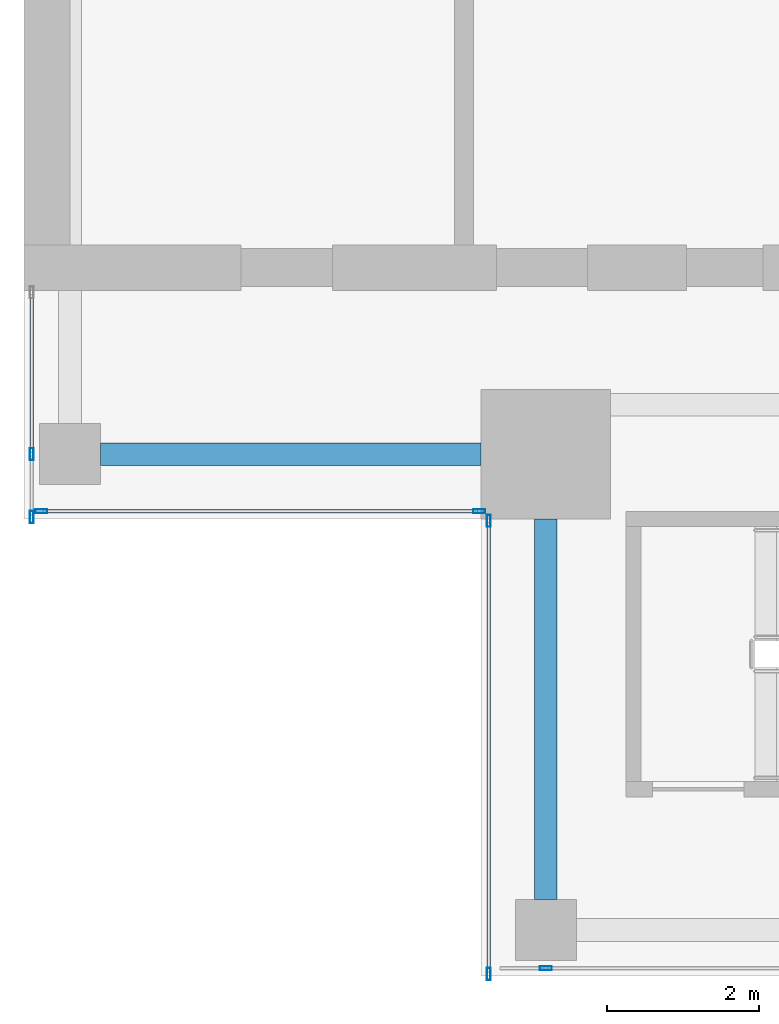
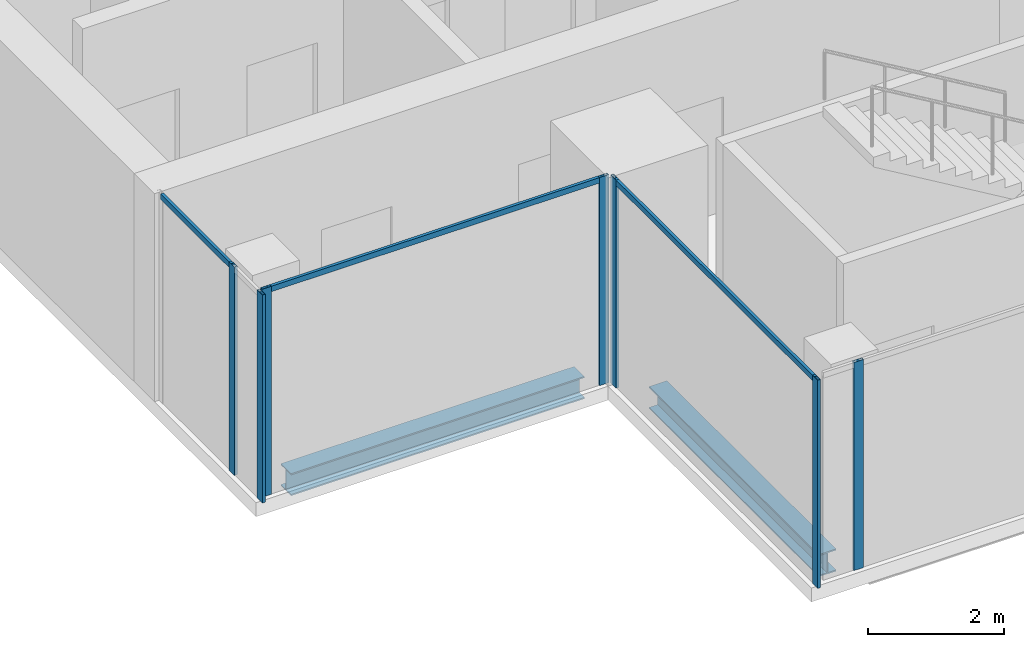
# One storey, part 2 of 29: 10 members, 2 beams, 4 elements without a shape of their own.
"""IFC4 building model written with IfcOpenShell, lengths in metres."""

from ifc_helpers import new_model, si_unit, direction, frame, origin, origin_2d, place, context, subcontext, project, spatial, hollow_rectangle, i_section, extrude, source, transform, mapped, material, material_profile, profile_set, type_object, element, aggregate, save


model = new_model("IFC4")

# Units and contexts
model_context = context("Model", 3, precision=1e-05, world=origin(), true_north=direction((0.0, 1.0)))
body_context = subcontext(model_context, "Body", "Model", "MODEL_VIEW")
ifc_project = project(units=[si_unit("LENGTHUNIT", "METRE"), si_unit("AREAUNIT", "SQUARE_METRE"), si_unit("VOLUMEUNIT", "CUBIC_METRE"), si_unit("PLANEANGLEUNIT", "RADIAN"), si_unit("MASSUNIT", "GRAM", prefix="KILO")], contexts=[model_context])

# Site, building, storey
site_placement = place(None, origin())
site = spatial("IfcSite", under=ifc_project, at=site_placement, CompositionType="ELEMENT")
building_placement = place(site_placement, origin())
building = spatial("IfcBuilding", under=site, at=building_placement, Name="Khomas Fold Tower", CompositionType="ELEMENT")
storey_placement = place(building_placement, frame((0.0, 0.0, 314.199951171875)))
storey = spatial("IfcBuildingStorey", under=building, at=storey_placement, Name="L71", CompositionType="ELEMENT", Elevation=314.199951171875)

# Beams
ifc_material_1 = material(Name="Steel S355", Category="steel")
ifc_material_profile_1 = material_profile(ifc_material_1, i_section(OverallWidth=0.300048828125, OverallDepth=0.39990234375, WebThickness=0.013427734375, FlangeThickness=0.02392578125, at=origin_2d()), Name="HE 400 B")
ifc_profile_set_1 = profile_set([ifc_material_profile_1], Name="Steel S355")
beam_type = type_object("IfcBeamType", Name="HE 400 B spandrel SB5", PredefinedType="SPANDREL", material=ifc_profile_set_1)
shared_shape_1 = source(origin(), body_context, "Body", "SweptSolid", [
    extrude(i_section(OverallWidth=0.300048828125, OverallDepth=0.39990234375, WebThickness=0.013427734375, FlangeThickness=0.02392578125, at=origin_2d()), origin(), (0.0, 0.0, 1.0), 5.0),
])
for number, where, z_axis, x_axis, name in (
    (1, (7.0, 12.85009765625, -0.449951171875), (1.0, 0.0, 0.0), (0.0, 1.0, 0.0), "SB5"),
    (2, (12.85009765625, 7.0, -0.449951171875), (0.0, 1.0, 0.0), (-1.0, 0.0, 0.0), "SB5"),
):
    element("IfcBeam", number, at=place(storey_placement, frame(where, z_axis=z_axis, x_axis=x_axis)), inside=storey, type_object=beam_type, Name=name, PredefinedType="SPANDREL", context=body_context, shape_type="MappedRepresentation", body=[
        mapped(shared_shape_1, transform((0.0, 0.0, 0.0))),
    ])

# Curtain wall, member
ifc_material_2 = material(Name="Aluminium framed double glazing", Category="aluminium")
curtain_wall_type = type_object("IfcCurtainWallType", Name="SK-Unitised clear-glass wall, upper floors CW3", PredefinedType="NOTDEFINED", material=ifc_material_2)
curtain_wall_1_placement = place(storey_placement, origin())
curtain_wall_1 = element("IfcCurtainWall", 3, at=curtain_wall_1_placement, inside=storey, type_object=curtain_wall_type, Name="CW3 run L71 00-0", PredefinedType="NOTDEFINED")
ifc_material_3 = material(Name="Aluminium", Category="aluminium")
ifc_material_profile_2 = material_profile(ifc_material_3, hollow_rectangle(XDim=0.050048828125, YDim=0.159912109375, WallThickness=0.00390625, at=origin_2d()), Name="SK-Unitised clear-glass wall, upper floors mullion CW3-M")
ifc_profile_set_2 = profile_set([ifc_material_profile_2], Name="Aluminium")
member_type_1 = type_object("IfcMemberType", Name="SK-Unitised clear-glass wall, upper floors mullion CW3-M", PredefinedType="MULLION", material=ifc_profile_set_2)
shared_shape_2 = source(origin(), body_context, "Body", "SweptSolid", [
    extrude(hollow_rectangle(XDim=0.050048828125, YDim=0.159912109375, WallThickness=0.00390625, at=origin_2d()), origin(), (0.0, 0.0, 1.0), 3.75),
])
member_1_placement = place(storey_placement, frame((12.85009765625, 6.10009765625, 0.0), z_axis=(0.0, 0.0, 1.0), x_axis=(0.0, 1.0, 0.0)))
member_1 = element("IfcMember", 4, at=member_1_placement, type_object=member_type_1, Name="CW3 mullion 2", PredefinedType="MULLION", context=body_context, shape_type="MappedRepresentation", body=[
    mapped(shared_shape_2, transform((0.0, 0.0, 0.0))),
])
aggregate(curtain_wall_1, [member_1])

# Curtain wall, members
curtain_wall_2_placement = place(storey_placement, origin())
curtain_wall_2 = element("IfcCurtainWall", 5, at=curtain_wall_2_placement, inside=storey, type_object=curtain_wall_type, Name="CW3 run L71 09-1", PredefinedType="NOTDEFINED")
member_2_placement = place(storey_placement, frame((6.10009765625, 12.85009765625, 0.0), z_axis=(0.0, 0.0, 1.0), x_axis=(1.0, 0.0, 0.0)))
member_2 = element("IfcMember", 6, at=member_2_placement, type_object=member_type_1, Name="CW3 mullion 2", PredefinedType="MULLION", context=body_context, shape_type="MappedRepresentation", body=[
    mapped(shared_shape_2, transform((0.0, 0.0, 0.0))),
])
member_3_placement = place(storey_placement, frame((6.10009765625, 12.02490234375, 0.0), z_axis=(0.0, 0.0, 1.0), x_axis=(1.0, 0.0, 0.0)))
member_3 = element("IfcMember", 7, at=member_3_placement, type_object=member_type_1, Name="CW3 mullion 3", PredefinedType="MULLION", context=body_context, shape_type="MappedRepresentation", body=[
    mapped(shared_shape_2, transform((0.0, 0.0, 0.0))),
])

curtain_wall_3_placement = place(storey_placement, origin())
curtain_wall_3 = element("IfcCurtainWall", 8, at=curtain_wall_3_placement, inside=storey, type_object=curtain_wall_type, Name="CW3 corner return L71 10", PredefinedType="NOTDEFINED")
member_4_placement = place(storey_placement, frame((6.22509765625, 12.10009765625, 0.0), z_axis=(0.0, 0.0, 1.0), x_axis=(0.0, 1.0, 0.0)))
member_4 = element("IfcMember", 9, at=member_4_placement, type_object=member_type_1, Name="CW3 mullion 1", PredefinedType="MULLION", context=body_context, shape_type="MappedRepresentation", body=[
    mapped(shared_shape_2, transform((0.0, 0.0, 0.0))),
])
member_5_placement = place(storey_placement, frame((11.97509765625, 12.10009765625, 0.0), z_axis=(0.0, 0.0, 1.0), x_axis=(0.0, 1.0, 0.0)))
member_5 = element("IfcMember", 10, at=member_5_placement, type_object=member_type_1, Name="CW3 mullion 2", PredefinedType="MULLION", context=body_context, shape_type="MappedRepresentation", body=[
    mapped(shared_shape_2, transform((0.0, 0.0, 0.0))),
])

curtain_wall_4_placement = place(storey_placement, origin())
curtain_wall_4 = element("IfcCurtainWall", 11, at=curtain_wall_4_placement, inside=storey, type_object=curtain_wall_type, Name="CW3 corner return L71 11", PredefinedType="NOTDEFINED")
member_6_placement = place(storey_placement, frame((12.10009765625, 11.97509765625, 0.0), z_axis=(0.0, 0.0, 1.0), x_axis=(1.0, 0.0, 0.0)))
member_6 = element("IfcMember", 12, at=member_6_placement, type_object=member_type_1, Name="CW3 mullion 1", PredefinedType="MULLION", context=body_context, shape_type="MappedRepresentation", body=[
    mapped(shared_shape_2, transform((0.0, 0.0, 0.0))),
])
member_7_placement = place(storey_placement, frame((12.10009765625, 6.02490234375, 0.0), z_axis=(0.0, 0.0, 1.0), x_axis=(1.0, 0.0, 0.0)))
member_7 = element("IfcMember", 13, at=member_7_placement, type_object=member_type_1, Name="CW3 mullion 2", PredefinedType="MULLION", context=body_context, shape_type="MappedRepresentation", body=[
    mapped(shared_shape_2, transform((0.0, 0.0, 0.0))),
])

# Member
ifc_material_4 = material(Name="Aluminium", Category="aluminium")
ifc_material_profile_3 = material_profile(ifc_material_4, hollow_rectangle(XDim=0.050048828125, YDim=0.10009765625, WallThickness=0.00390625, at=origin_2d()), Name="SK-Unitised clear-glass wall, upper floors transom CW3-T")
ifc_profile_set_3 = profile_set([ifc_material_profile_3], Name="Aluminium")
member_type_2 = type_object("IfcMemberType", Name="SK-Unitised clear-glass wall, upper floors transom CW3-T", PredefinedType="USERDEFINED", material=ifc_profile_set_3)
shared_shape_3 = source(origin(), body_context, "Body", "SweptSolid", [
    extrude(hollow_rectangle(XDim=0.050048828125, YDim=0.10009765625, WallThickness=0.00390625, at=origin_2d()), origin(), (0.0, 0.0, 1.0), 5.699951171875),
])
member_8_placement = place(storey_placement, frame((6.25, 12.10009765625, 3.699951171875), z_axis=(1.0, 0.0, 0.0), x_axis=(0.0, 1.0, 0.0)))
member_8 = element("IfcMember", 14, at=member_8_placement, type_object=member_type_2, Name="CW3 transom 1", ObjectType="TRANSOM", PredefinedType="USERDEFINED", context=body_context, shape_type="MappedRepresentation", body=[
    mapped(shared_shape_3, transform((0.0, 0.0, 0.0))),
])

aggregate(curtain_wall_3, [member_4, member_5, member_8])

shared_shape_4 = source(origin(), body_context, "Body", "SweptSolid", [
    extrude(hollow_rectangle(XDim=0.050048828125, YDim=0.10009765625, WallThickness=0.00390625, at=origin_2d()), origin(), (0.0, 0.0, 1.0), 5.89990234375),
])
member_9_placement = place(storey_placement, frame((12.10009765625, 11.949951171875, 3.699951171875), z_axis=(0.0, -1.0, 0.0), x_axis=(1.0, 0.0, 0.0)))
member_9 = element("IfcMember", 15, at=member_9_placement, type_object=member_type_2, Name="CW3 transom 1", ObjectType="TRANSOM", PredefinedType="USERDEFINED", context=body_context, shape_type="MappedRepresentation", body=[
    mapped(shared_shape_4, transform((0.0, 0.0, 0.0))),
])

aggregate(curtain_wall_4, [member_6, member_7, member_9])

shared_shape_5 = source(origin(), body_context, "Body", "SweptSolid", [
    extrude(hollow_rectangle(XDim=0.050048828125, YDim=0.10009765625, WallThickness=0.00390625, at=origin_2d()), origin(), (0.0, 0.0, 1.0), 2.074951171875),
])
member_10_placement = place(storey_placement, frame((6.10009765625, 14.949951171875, 3.699951171875), z_axis=(0.0, -1.0, 0.0), x_axis=(1.0, 0.0, 0.0)))
member_10 = element("IfcMember", 16, at=member_10_placement, type_object=member_type_2, Name="CW3 transom 1", ObjectType="TRANSOM", PredefinedType="USERDEFINED", context=body_context, shape_type="MappedRepresentation", body=[
    mapped(shared_shape_5, transform((0.0, 0.0, 0.0))),
])

aggregate(curtain_wall_2, [member_2, member_3, member_10])

save(model, "model.ifc")
